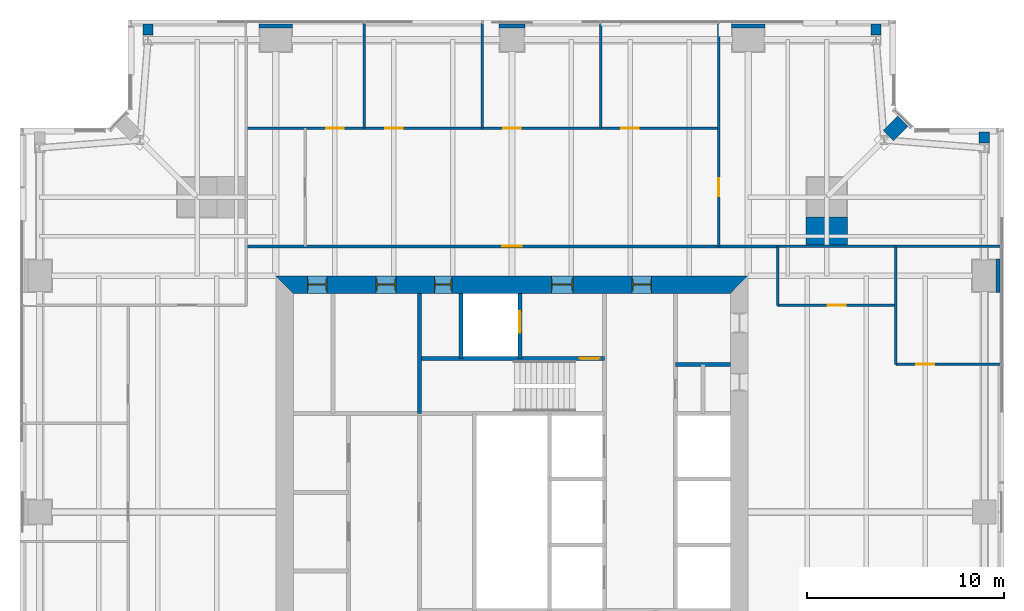
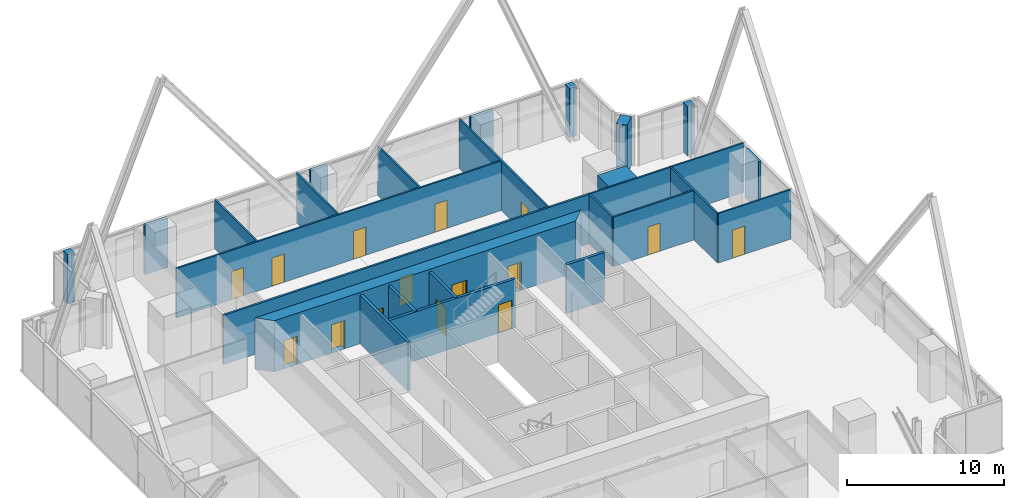
# One storey, part 11 of 14: 26 walls, 15 doors, 15 openings.
"""IFC4 building model written with IfcOpenShell, lengths in metres."""

from ifc_helpers import new_model, si_unit, direction, frame, frame_2d, origin, place, context, subcontext, project, spatial, polyline, rectangle, outline, extrude, material, layer, layer_set, type_object, element, fill, save


model = new_model("IFC4")

# Units and contexts
model_context = context("Model", 3, precision=1e-05, world=origin(), true_north=direction((0.0, 1.0)))
body_context = subcontext(model_context, "Body", "Model", "MODEL_VIEW")
ifc_project = project(units=[si_unit("LENGTHUNIT", "METRE"), si_unit("AREAUNIT", "SQUARE_METRE"), si_unit("VOLUMEUNIT", "CUBIC_METRE"), si_unit("PLANEANGLEUNIT", "RADIAN"), si_unit("MASSUNIT", "GRAM", prefix="KILO")], contexts=[model_context])

# Site, building, storey
site_placement = place(None, origin())
site = spatial("IfcSite", under=ifc_project, at=site_placement, CompositionType="ELEMENT")
building_placement = place(site_placement, origin())
building = spatial("IfcBuilding", under=site, at=building_placement, Name="Fenwick Lantern Interchange", CompositionType="ELEMENT")
storey_placement = place(building_placement, frame((0.0, 0.0, 185.800048828125)))
storey = spatial("IfcBuildingStorey", under=building, at=storey_placement, Name="L43", CompositionType="ELEMENT", Elevation=185.800048828125)

# Walls
ifc_material_1 = material(Name="Fire-rated gypsum board encasement on steel studs, 2 hour", Category="steel")
ifc_layer_1 = layer(ifc_material_1, 1.300048828125)
ifc_layer_set_1 = layer_set([ifc_layer_1], Name="COLUMN PIER 1300")
wall_type_1 = type_object("IfcWallType", Name="COLUMN PIER 1300", PredefinedType="PARTITIONING", material=ifc_layer_set_1)
wall_1_placement = place(storey_placement, frame((25.0, 49.800048828125, 0.0), z_axis=(0.0, 0.0, 1.0), x_axis=(0.0, -1.0, 0.0)))
element("IfcWall", 1, at=wall_1_placement, inside=storey, type_object=wall_type_1, Name="L43/W/PIER/CN3", PredefinedType="PARTITIONING", context=body_context, shape_type="SweptSolid", body=[
    extrude(rectangle(XDim=0.199951171875, YDim=1.300048828125, at=frame_2d((0.10009765625, 0.0))), origin(), (0.0, 0.0, 1.0), 3.849853515625),
])
ifc_layer_2 = layer(ifc_material_1, 1.699951171875)
ifc_layer_set_2 = layer_set([ifc_layer_2], Name="COLUMN PIER 1700")
wall_type_2 = type_object("IfcWallType", Name="COLUMN PIER 1700", PredefinedType="PARTITIONING", material=ifc_layer_set_2)
for number, where, z_axis, x_axis, name in (
    (2, (49.800048828125, 37.0, 0.0), (0.0, 0.0, 1.0), (-1.0, 0.0, 0.0), "L43/W/PIER/CE4"),
    (3, (37.0, 49.800048828125, 0.0), (0.0, 0.0, 1.0), (0.0, -1.0, 0.0), "L43/W/PIER/CN2"),
    (4, (13.0, 49.800048828125, 0.0), (0.0, 0.0, 1.0), (0.0, -1.0, 0.0), "L43/W/PIER/CN4"),
):
    element("IfcWall", number, at=place(storey_placement, frame(where, z_axis=z_axis, x_axis=x_axis)), inside=storey, type_object=wall_type_2, Name=name, PredefinedType="PARTITIONING", context=body_context, shape_type="SweptSolid", body=[
        extrude(rectangle(XDim=0.199951171875, YDim=1.699951171875, at=frame_2d((0.10009765625, 0.0))), origin(), (0.0, 0.0, 1.0), 3.849853515625),
    ])
ifc_layer_3 = layer(ifc_material_1, 2.10009765625)
ifc_layer_set_3 = layer_set([ifc_layer_3], Name="COLUMN PIER 2100")
wall_type_3 = type_object("IfcWallType", Name="COLUMN PIER 2100", PredefinedType="PARTITIONING", material=ifc_layer_set_3)
wall_2_placement = place(storey_placement, frame((41.0, 38.5625, 0.0), z_axis=(0.0, 0.0, 1.0), x_axis=(0.0, 1.0, 0.0)))
element("IfcWall", 5, at=wall_2_placement, inside=storey, type_object=wall_type_3, Name="L43/W/PIER/M3", PredefinedType="PARTITIONING", context=body_context, shape_type="SweptSolid", body=[
    extrude(rectangle(XDim=1.4375, YDim=2.10009765625, at=frame_2d((0.71875, 0.0))), origin(), (0.0, 0.0, 1.0), 3.849853515625),
])
ifc_layer_4 = layer(ifc_material_1, 0.52392578125)
ifc_layer_set_4 = layer_set([ifc_layer_4], Name="COLUMN PIER 524")
wall_type_4 = type_object("IfcWallType", Name="COLUMN PIER 524", PredefinedType="PARTITIONING", material=ifc_layer_set_4)
for number, where, z_axis, x_axis, name in (
    (6, (49.0, 44.300048828125, 0.0), (0.0, 0.0, 1.0), (0.0, -1.0, 0.0), "L43/W/PIER/CE5"),
    (7, (43.5, 49.800048828125, 0.0), (0.0, 0.0, 1.0), (0.0, -1.0, 0.0), "L43/W/PIER/CN1"),
    (8, (6.5, 49.800048828125, 0.0), (0.0, 0.0, 1.0), (0.0, -1.0, 0.0), "L43/W/PIER/CN5"),
):
    element("IfcWall", number, at=place(storey_placement, frame(where, z_axis=z_axis, x_axis=x_axis)), inside=storey, type_object=wall_type_4, Name=name, PredefinedType="PARTITIONING", context=body_context, shape_type="SweptSolid", body=[
        extrude(rectangle(XDim=0.5625, YDim=0.52392578125, at=frame_2d((0.28125, 0.0))), origin(), (0.0, 0.0, 1.0), 3.849853515625),
    ])
ifc_layer_5 = layer(ifc_material_1, 0.736083984375)
ifc_layer_set_5 = layer_set([ifc_layer_5], Name="COLUMN PIER 736")
wall_type_5 = type_object("IfcWallType", Name="COLUMN PIER 736", PredefinedType="PARTITIONING", material=ifc_layer_set_5)
wall_3_placement = place(storey_placement, frame((44.858642578125, 44.858642578125, 0.0), z_axis=(0.0, 0.0, 1.0), x_axis=(-0.707106781187, -0.707106781187, 0.0)))
element("IfcWall", 9, at=wall_3_placement, inside=storey, type_object=wall_type_5, Name="L43/W/PIER/CER", PredefinedType="PARTITIONING", context=body_context, shape_type="SweptSolid", body=[
    extrude(rectangle(XDim=1.037841796875, YDim=0.736083984375, at=frame_2d((0.51904296875, 0.0))), origin(), (0.0, 0.0, 1.0), 3.849853515625),
])

# Wall, opening, door
ifc_material_2 = material(Name="Concrete masonry ASTM C90 Grade N", Category="masonry")
ifc_layer_6 = layer(ifc_material_2, 0.199951171875)
ifc_layer_set_6 = layer_set([ifc_layer_6], Name="Concrete masonry ASTM C90 Grade N")
wall_type_6 = type_object("IfcWallType", Name="CORE PARTITION 200", PredefinedType="PARTITIONING", material=ifc_layer_set_6)
wall_4_placement = place(storey_placement, frame((25.39990234375, 36.10009765625, 0.0), z_axis=(0.0, 0.0, 1.0), x_axis=(0.0, -1.0, 0.0)))
wall_4 = element("IfcWall", 10, at=wall_4_placement, inside=storey, type_object=wall_type_6, Name="L43/W/COREN/h1", PredefinedType="PARTITIONING", context=body_context, shape_type="SweptSolid", body=[
    extrude(rectangle(XDim=3.300048828125, YDim=0.199951171875, at=frame_2d((1.64990234375, 0.0))), origin(), (0.0, 0.0, 1.0), 3.800048828125),
])
opening_1_placement = place(wall_4_placement, frame((0.89990234375, 0.0, 0.0)))
opening_1 = element("IfcOpeningElement", 11, at=opening_1_placement, cuts=wall_4, Name="Opening LD-FL2", PredefinedType="OPENING", context=body_context, shape_type="SweptSolid", body=[
    extrude(rectangle(XDim=1.10009765625, YDim=2.199951171875, at=frame_2d((0.550048828125, 1.10009765625))), frame((0.0, 0.10986328125, 0.0), z_axis=(0.0, -1.0, 0.0), x_axis=(1.0, 0.0, 0.0)), (0.0, 0.0, 1.0), 0.219970703125),
])
ifc_material_3 = material(Name="Steel door and frame", Category="steel")
door_type_1 = type_object("IfcDoorType", Name="LIFT LANDING DOOR 1100 X 2200", OperationType="DOUBLE_DOOR_SLIDING", PredefinedType="DOOR", material=ifc_material_3)
door_1_placement = place(opening_1_placement, origin())
door_1 = element("IfcDoor", 12, at=door_1_placement, inside=storey, type_object=door_type_1, Name="Lift landing door FL2", OperationType="DOUBLE_DOOR_SLIDING", OverallHeight=2.199951171875, OverallWidth=1.10009765625, PredefinedType="DOOR", context=body_context, shape_type="SweptSolid", body=[
    extrude(rectangle(XDim=1.10009765625, YDim=2.199951171875, at=frame_2d((0.550048828125, 1.10009765625))), frame((0.0, 0.02490234375, 0.0), z_axis=(0.0, -1.0, 0.0), x_axis=(1.0, 0.0, 0.0)), (0.0, 0.0, 1.0), 0.050048828125),
])
fill(opening_1, door_1)

# Walls
wall_5_placement = place(storey_placement, frame((22.39990234375, 36.10009765625, 0.0), z_axis=(0.0, 0.0, 1.0), x_axis=(0.0, -1.0, 0.0)))
element("IfcWall", 13, at=wall_5_placement, inside=storey, type_object=wall_type_6, Name="L43/W/COREN/h2", PredefinedType="PARTITIONING", context=body_context, shape_type="SweptSolid", body=[
    extrude(rectangle(XDim=3.300048828125, YDim=0.199951171875, at=frame_2d((1.64990234375, 0.0))), origin(), (0.0, 0.0, 1.0), 3.800048828125),
])
wall_6_placement = place(storey_placement, frame((36.10009765625, 32.5, 0.0), z_axis=(0.0, 0.0, 1.0), x_axis=(-1.0, 0.0, 0.0)))
element("IfcWall", 14, at=wall_6_placement, inside=storey, type_object=wall_type_6, Name="L43/W/COREN/p1", PredefinedType="PARTITIONING", context=body_context, shape_type="SweptSolid", body=[
    extrude(rectangle(XDim=2.800048828125, YDim=0.199951171875, at=frame_2d((1.39990234375, 0.0))), origin(), (0.0, 0.0, 1.0), 3.800048828125),
])

# Wall, openings, doors
ifc_material_4 = material(Name="Concrete f'c 70 MPa", Category="concrete")
ifc_layer_7 = layer(ifc_material_4, 0.89990234375)
ifc_layer_set_7 = layer_set([ifc_layer_7], Name="CORE WALL 900")
wall_type_7 = type_object("IfcWallType", Name="CORE WALL 900", PredefinedType="SHEAR", material=ifc_layer_set_7)
wall_7_placement = place(storey_placement, frame((37.0, 36.550048828125, 0.0), z_axis=(0.0, 0.0, 1.0), x_axis=(-1.0, 0.0, 0.0)))
wall_7 = element("IfcWall", 15, at=wall_7_placement, inside=storey, type_object=wall_type_7, Name="L43/CORE/N", PredefinedType="SHEAR", context=body_context, shape_type="SweptSolid", body=[
    extrude(outline(polyline([(0.0, -0.449951171875), (24.0, -0.449951171875), (23.10009765625, 0.449951171875), (0.89990234375, 0.449951171875), (0.0, -0.449951171875)])), origin(), (0.0, 0.0, 1.0), 4.0),
])
opening_2_placement = place(wall_7_placement, frame((4.89990234375, 0.0, 0.0)))
opening_2 = element("IfcOpeningElement", 16, at=opening_2_placement, cuts=wall_7, Name="Opening L43-D012", PredefinedType="OPENING", context=body_context, shape_type="SweptSolid", body=[
    extrude(rectangle(XDim=1.0, YDim=2.199951171875, at=frame_2d((0.5, 1.10009765625))), frame((0.0, 0.4599609375, 0.0), z_axis=(0.0, -1.0, 0.0), x_axis=(1.0, 0.0, 0.0)), (0.0, 0.0, 1.0), 0.919921875),
])
opening_3_placement = place(wall_7_placement, frame((8.89990234375, 0.0, 0.0)))
opening_3 = element("IfcOpeningElement", 17, at=opening_3_placement, cuts=wall_7, Name="Opening L43-D013", PredefinedType="OPENING", context=body_context, shape_type="SweptSolid", body=[
    extrude(rectangle(XDim=1.10009765625, YDim=2.199951171875, at=frame_2d((0.550048828125, 1.10009765625))), frame((0.0, 0.4599609375, 0.0), z_axis=(0.0, -1.0, 0.0), x_axis=(1.0, 0.0, 0.0)), (0.0, 0.0, 1.0), 0.919921875),
])
opening_4_placement = place(wall_7_placement, frame((15.050048828125, 0.0, 0.0)))
opening_4 = element("IfcOpeningElement", 18, at=opening_4_placement, cuts=wall_7, Name="Opening L43-D015", PredefinedType="OPENING", context=body_context, shape_type="SweptSolid", body=[
    extrude(rectangle(XDim=0.89990234375, YDim=2.199951171875, at=frame_2d((0.449951171875, 1.10009765625))), frame((0.0, 0.4599609375, 0.0), z_axis=(0.0, -1.0, 0.0), x_axis=(1.0, 0.0, 0.0)), (0.0, 0.0, 1.0), 0.919921875),
])
opening_5_placement = place(wall_7_placement, frame((17.89990234375, 0.0, 0.0)))
opening_5 = element("IfcOpeningElement", 19, at=opening_5_placement, cuts=wall_7, Name="Opening L43-D016", PredefinedType="OPENING", context=body_context, shape_type="SweptSolid", body=[
    extrude(rectangle(XDim=1.0, YDim=2.199951171875, at=frame_2d((0.5, 1.10009765625))), frame((0.0, 0.4599609375, 0.0), z_axis=(0.0, -1.0, 0.0), x_axis=(1.0, 0.0, 0.0)), (0.0, 0.0, 1.0), 0.919921875),
])
opening_6_placement = place(wall_7_placement, frame((21.39990234375, 0.0, 0.0)))
opening_6 = element("IfcOpeningElement", 20, at=opening_6_placement, cuts=wall_7, Name="Opening L43-D017", PredefinedType="OPENING", context=body_context, shape_type="SweptSolid", body=[
    extrude(rectangle(XDim=1.0, YDim=2.199951171875, at=frame_2d((0.5, 1.10009765625))), frame((0.0, 0.4599609375, 0.0), z_axis=(0.0, -1.0, 0.0), x_axis=(1.0, 0.0, 0.0)), (0.0, 0.0, 1.0), 0.919921875),
])
door_type_2 = type_object("IfcDoorType", Name="CORE LOBBY DOOR 1000 X 2200", OperationType="SINGLE_SWING_LEFT", PredefinedType="DOOR", material=ifc_material_3)
door_2_placement = place(opening_2_placement, origin())
door_2 = element("IfcDoor", 21, at=door_2_placement, inside=storey, type_object=door_type_2, Name="Core lobby door", OperationType="SINGLE_SWING_LEFT", OverallHeight=2.199951171875, OverallWidth=1.0, PredefinedType="DOOR", context=body_context, shape_type="SweptSolid", body=[
    extrude(rectangle(XDim=1.0, YDim=2.199951171875, at=frame_2d((0.5, 1.10009765625))), frame((0.0, 0.02490234375, 0.0), z_axis=(0.0, -1.0, 0.0), x_axis=(1.0, 0.0, 0.0)), (0.0, 0.0, 1.0), 0.050048828125),
    extrude(outline(polyline([(0.0, 0.0), (0.0400390625, 0.0), (0.0400390625, 2.159912109375), (0.9599609375, 2.159912109375), (0.9599609375, 0.0), (1.0, 0.0), (1.0, 2.199951171875), (0.0, 2.199951171875), (0.0, 0.0)])), frame((0.0, 0.300048828125, 0.0), z_axis=(0.0, -1.0, 0.0), x_axis=(1.0, 0.0, 0.0)), (0.0, 0.0, 1.0), 0.60009765625),
])
fill(opening_2, door_2)
door_type_3 = type_object("IfcDoorType", Name="FIRE LOBBY DOOR 1100 X 2200", OperationType="SINGLE_SWING_LEFT", PredefinedType="DOOR", material=ifc_material_3)
door_3_placement = place(opening_3_placement, origin())
door_3 = element("IfcDoor", 22, at=door_3_placement, inside=storey, type_object=door_type_3, Name="Fire lobby door", OperationType="SINGLE_SWING_LEFT", OverallHeight=2.199951171875, OverallWidth=1.10009765625, PredefinedType="DOOR", context=body_context, shape_type="SweptSolid", body=[
    extrude(rectangle(XDim=1.10009765625, YDim=2.199951171875, at=frame_2d((0.550048828125, 1.10009765625))), frame((0.0, 0.02490234375, 0.0), z_axis=(0.0, -1.0, 0.0), x_axis=(1.0, 0.0, 0.0)), (0.0, 0.0, 1.0), 0.050048828125),
    extrude(outline(polyline([(0.0, 0.0), (0.0400390625, 0.0), (0.0400390625, 2.159912109375), (1.06005859375, 2.159912109375), (1.06005859375, 0.0), (1.10009765625, 0.0), (1.10009765625, 2.199951171875), (0.0, 2.199951171875), (0.0, 0.0)])), frame((0.0, 0.300048828125, 0.0), z_axis=(0.0, -1.0, 0.0), x_axis=(1.0, 0.0, 0.0)), (0.0, 0.0, 1.0), 0.60009765625),
])
fill(opening_3, door_3)
door_type_4 = type_object("IfcDoorType", Name="SERVICE DOOR 900 X 2200", OperationType="SINGLE_SWING_LEFT", PredefinedType="DOOR", material=ifc_material_3)
door_4_placement = place(opening_4_placement, origin())
door_4 = element("IfcDoor", 23, at=door_4_placement, inside=storey, type_object=door_type_4, Name="Service door", OperationType="SINGLE_SWING_LEFT", OverallHeight=2.199951171875, OverallWidth=0.89990234375, PredefinedType="DOOR", context=body_context, shape_type="SweptSolid", body=[
    extrude(rectangle(XDim=0.89990234375, YDim=2.199951171875, at=frame_2d((0.449951171875, 1.10009765625))), frame((0.0, 0.02490234375, 0.0), z_axis=(0.0, -1.0, 0.0), x_axis=(1.0, 0.0, 0.0)), (0.0, 0.0, 1.0), 0.050048828125),
    extrude(outline(polyline([(0.0, 0.0), (0.0400390625, 0.0), (0.0400390625, 2.159912109375), (0.85986328125, 2.159912109375), (0.85986328125, 0.0), (0.89990234375, 0.0), (0.89990234375, 2.199951171875), (0.0, 2.199951171875), (0.0, 0.0)])), frame((0.0, 0.300048828125, 0.0), z_axis=(0.0, -1.0, 0.0), x_axis=(1.0, 0.0, 0.0)), (0.0, 0.0, 1.0), 0.60009765625),
])
fill(opening_4, door_4)
ifc_material_5 = material(Name="Hardwood door and steel frame", Category="steel")
door_type_5 = type_object("IfcDoorType", Name="WC DOOR 1000 X 2200", OperationType="SINGLE_SWING_LEFT", PredefinedType="DOOR", material=ifc_material_5)
door_5_placement = place(opening_5_placement, origin())
door_5 = element("IfcDoor", 24, at=door_5_placement, inside=storey, type_object=door_type_5, Name="Wc door", OperationType="SINGLE_SWING_LEFT", OverallHeight=2.199951171875, OverallWidth=1.0, PredefinedType="DOOR", context=body_context, shape_type="SweptSolid", body=[
    extrude(rectangle(XDim=1.0, YDim=2.199951171875, at=frame_2d((0.5, 1.10009765625))), frame((0.0, 0.02490234375, 0.0), z_axis=(0.0, -1.0, 0.0), x_axis=(1.0, 0.0, 0.0)), (0.0, 0.0, 1.0), 0.050048828125),
    extrude(outline(polyline([(0.0, 0.0), (0.0400390625, 0.0), (0.0400390625, 2.159912109375), (0.9599609375, 2.159912109375), (0.9599609375, 0.0), (1.0, 0.0), (1.0, 2.199951171875), (0.0, 2.199951171875), (0.0, 0.0)])), frame((0.0, 0.300048828125, 0.0), z_axis=(0.0, -1.0, 0.0), x_axis=(1.0, 0.0, 0.0)), (0.0, 0.0, 1.0), 0.60009765625),
])
fill(opening_5, door_5)
door_6_placement = place(opening_6_placement, origin())
door_6 = element("IfcDoor", 25, at=door_6_placement, inside=storey, type_object=door_type_5, Name="Wc door", OperationType="SINGLE_SWING_LEFT", OverallHeight=2.199951171875, OverallWidth=1.0, PredefinedType="DOOR", context=body_context, shape_type="SweptSolid", body=[
    extrude(rectangle(XDim=1.0, YDim=2.199951171875, at=frame_2d((0.5, 1.10009765625))), frame((0.0, 0.02490234375, 0.0), z_axis=(0.0, -1.0, 0.0), x_axis=(1.0, 0.0, 0.0)), (0.0, 0.0, 1.0), 0.050048828125),
    extrude(outline(polyline([(0.0, 0.0), (0.0400390625, 0.0), (0.0400390625, 2.159912109375), (0.9599609375, 2.159912109375), (0.9599609375, 0.0), (1.0, 0.0), (1.0, 2.199951171875), (0.0, 2.199951171875), (0.0, 0.0)])), frame((0.0, 0.300048828125, 0.0), z_axis=(0.0, -1.0, 0.0), x_axis=(1.0, 0.0, 0.0)), (0.0, 0.0, 1.0), 0.60009765625),
])
fill(opening_6, door_6)

# Wall, opening, door
ifc_material_6 = material(Name="Gypsum board on steel studs, 1 hour", Category="steel")
ifc_layer_8 = layer(ifc_material_6, 0.14990234375)
ifc_layer_set_8 = layer_set([ifc_layer_8], Name="CORRIDOR WALL 150")
wall_type_8 = type_object("IfcWallType", Name="CORRIDOR WALL 150", PredefinedType="PARTITIONING", material=ifc_layer_set_8)
wall_8_placement = place(storey_placement, frame((38.5, 38.5, 0.0), z_axis=(0.0, 0.0, 1.0), x_axis=(-1.0, 0.0, 0.0)))
wall_8 = element("IfcWall", 26, at=wall_8_placement, inside=storey, type_object=wall_type_8, Name="L43/W/OFF/N/CW", PredefinedType="PARTITIONING", context=body_context, shape_type="SweptSolid", body=[
    extrude(rectangle(XDim=27.0, YDim=0.14990234375, at=frame_2d((13.5, 0.0))), origin(), (0.0, 0.0, 1.0), 3.849853515625),
])
opening_7_placement = place(wall_8_placement, frame((13.0, 0.0, 0.0)))
opening_7 = element("IfcOpeningElement", 27, at=opening_7_placement, cuts=wall_8, Name="Opening L43-D031", PredefinedType="OPENING", context=body_context, shape_type="SweptSolid", body=[
    extrude(rectangle(XDim=1.0, YDim=2.199951171875, at=frame_2d((0.5, 1.10009765625))), frame((0.0, 0.0849609375, 0.0), z_axis=(0.0, -1.0, 0.0), x_axis=(1.0, 0.0, 0.0)), (0.0, 0.0, 1.0), 0.169921875),
])
door_type_6 = type_object("IfcDoorType", Name="SUITE ENTRANCE DOOR 1000 X 2200", OperationType="SINGLE_SWING_LEFT", PredefinedType="DOOR", material=ifc_material_3)
door_7_placement = place(opening_7_placement, frame((1.0, 0.0, 0.0), z_axis=(0.0, 0.0, 1.0), x_axis=(-1.0, 0.0, 0.0)))
door_7 = element("IfcDoor", 28, at=door_7_placement, inside=storey, type_object=door_type_6, Name="Suite entrance door", OperationType="SINGLE_SWING_RIGHT", OverallHeight=2.199951171875, OverallWidth=1.0, PredefinedType="DOOR", context=body_context, shape_type="SweptSolid", body=[
    extrude(rectangle(XDim=1.0, YDim=2.199951171875, at=frame_2d((0.5, 1.10009765625))), frame((0.0, 0.02490234375, 0.0), z_axis=(0.0, -1.0, 0.0), x_axis=(1.0, 0.0, 0.0)), (0.0, 0.0, 1.0), 0.050048828125),
])
fill(opening_7, door_7)

ifc_material_7 = material(Name="Gypsum board on steel studs, acoustic", Category="steel")
ifc_layer_9 = layer(ifc_material_7, 0.125)
ifc_layer_set_9 = layer_set([ifc_layer_9], Name="OFFICE PARTITION 125")
wall_type_9 = type_object("IfcWallType", Name="OFFICE PARTITION 125", PredefinedType="PARTITIONING", material=ifc_layer_set_9)
wall_9_placement = place(storey_placement, frame((49.85009765625, 32.5, 0.0), z_axis=(0.0, 0.0, 1.0), x_axis=(-1.0, 0.0, 0.0)))
wall_9 = element("IfcWall", 29, at=wall_9_placement, inside=storey, type_object=wall_type_9, Name="L43/W/OFF/E/X325-1", PredefinedType="PARTITIONING", context=body_context, shape_type="SweptSolid", body=[
    extrude(rectangle(XDim=5.35009765625, YDim=0.125, at=frame_2d((2.675048828125, 0.0))), origin(), (0.0, 0.0, 1.0), 3.849853515625),
])
opening_8_placement = place(wall_9_placement, frame((3.39990234375, 0.0, 0.0)))
opening_8 = element("IfcOpeningElement", 30, at=opening_8_placement, cuts=wall_9, Name="Opening L43-D029", PredefinedType="OPENING", context=body_context, shape_type="SweptSolid", body=[
    extrude(rectangle(XDim=0.89990234375, YDim=2.199951171875, at=frame_2d((0.449951171875, 1.10009765625))), frame((0.0, 0.072509765625, 0.0), z_axis=(0.0, -1.0, 0.0), x_axis=(1.0, 0.0, 0.0)), (0.0, 0.0, 1.0), 0.14501953125),
])
door_type_7 = type_object("IfcDoorType", Name="OFFICE DOOR 900 X 2200", OperationType="SINGLE_SWING_LEFT", PredefinedType="DOOR", material=ifc_material_5)
door_8_placement = place(opening_8_placement, frame((0.89990234375, 0.0, 0.0), z_axis=(0.0, 0.0, 1.0), x_axis=(-1.0, 0.0, 0.0)))
door_8 = element("IfcDoor", 31, at=door_8_placement, inside=storey, type_object=door_type_7, Name="Office door", OperationType="SINGLE_SWING_LEFT", OverallHeight=2.199951171875, OverallWidth=0.89990234375, PredefinedType="DOOR", context=body_context, shape_type="SweptSolid", body=[
    extrude(rectangle(XDim=0.89990234375, YDim=2.199951171875, at=frame_2d((0.449951171875, 1.10009765625))), frame((0.0, 0.02490234375, 0.0), z_axis=(0.0, -1.0, 0.0), x_axis=(1.0, 0.0, 0.0)), (0.0, 0.0, 1.0), 0.050048828125),
])
fill(opening_8, door_8)

wall_10_placement = place(storey_placement, frame((44.5, 35.5, 0.0), z_axis=(0.0, 0.0, 1.0), x_axis=(-1.0, 0.0, 0.0)))
wall_10 = element("IfcWall", 32, at=wall_10_placement, inside=storey, type_object=wall_type_9, Name="L43/W/OFF/E/X355-1", PredefinedType="PARTITIONING", context=body_context, shape_type="SweptSolid", body=[
    extrude(rectangle(XDim=6.0, YDim=0.125, at=frame_2d((3.0, 0.0))), origin(), (0.0, 0.0, 1.0), 3.849853515625),
])
opening_9_placement = place(wall_10_placement, frame((2.550048828125, 0.0, 0.0)))
opening_9 = element("IfcOpeningElement", 33, at=opening_9_placement, cuts=wall_10, Name="Opening L43-D030", PredefinedType="OPENING", context=body_context, shape_type="SweptSolid", body=[
    extrude(rectangle(XDim=0.89990234375, YDim=2.199951171875, at=frame_2d((0.449951171875, 1.10009765625))), frame((0.0, 0.072509765625, 0.0), z_axis=(0.0, -1.0, 0.0), x_axis=(1.0, 0.0, 0.0)), (0.0, 0.0, 1.0), 0.14501953125),
])
door_9_placement = place(opening_9_placement, frame((0.89990234375, 0.0, 0.0), z_axis=(0.0, 0.0, 1.0), x_axis=(-1.0, 0.0, 0.0)))
door_9 = element("IfcDoor", 34, at=door_9_placement, inside=storey, type_object=door_type_7, Name="Office door", OperationType="SINGLE_SWING_RIGHT", OverallHeight=2.199951171875, OverallWidth=0.89990234375, PredefinedType="DOOR", context=body_context, shape_type="SweptSolid", body=[
    extrude(rectangle(XDim=0.89990234375, YDim=2.199951171875, at=frame_2d((0.449951171875, 1.10009765625))), frame((0.0, 0.02490234375, 0.0), z_axis=(0.0, -1.0, 0.0), x_axis=(1.0, 0.0, 0.0)), (0.0, 0.0, 1.0), 0.050048828125),
])
fill(opening_9, door_9)

# Walls
wall_11_placement = place(storey_placement, frame((44.5, 32.5, 0.0), z_axis=(0.0, 0.0, 1.0), x_axis=(0.0, 1.0, 0.0)))
element("IfcWall", 35, at=wall_11_placement, inside=storey, type_object=wall_type_9, Name="L43/W/OFF/E/Y55-1", PredefinedType="PARTITIONING", context=body_context, shape_type="SweptSolid", body=[
    extrude(rectangle(XDim=6.0, YDim=0.125, at=frame_2d((3.0, 0.0))), origin(), (0.0, 0.0, 1.0), 3.849853515625),
])
wall_12_placement = place(storey_placement, frame((38.5, 35.5, 0.0), z_axis=(0.0, 0.0, 1.0), x_axis=(0.0, 1.0, 0.0)))
element("IfcWall", 36, at=wall_12_placement, inside=storey, type_object=wall_type_9, Name="L43/W/OFF/E/CWS1", PredefinedType="PARTITIONING", context=body_context, shape_type="SweptSolid", body=[
    extrude(rectangle(XDim=3.0, YDim=0.125, at=frame_2d((1.5, 0.0))), origin(), (0.0, 0.0, 1.0), 3.849853515625),
])
wall_13_placement = place(storey_placement, frame((49.85009765625, 38.5, 0.0), z_axis=(0.0, 0.0, 1.0), x_axis=(-1.0, 0.0, 0.0)))
element("IfcWall", 37, at=wall_13_placement, inside=storey, type_object=wall_type_9, Name="L43/W/OFF/N/BACK", PredefinedType="PARTITIONING", context=body_context, shape_type="SweptSolid", body=[
    extrude(rectangle(XDim=11.35009765625, YDim=0.125, at=frame_2d((5.675048828125, 0.0))), origin(), (0.0, 0.0, 1.0), 3.849853515625),
])

# Wall, opening, door
wall_14_placement = place(storey_placement, frame((35.5, 49.85009765625, 0.0), z_axis=(0.0, 0.0, 1.0), x_axis=(0.0, -1.0, 0.0)))
wall_14 = element("IfcWall", 38, at=wall_14_placement, inside=storey, type_object=wall_type_9, Name="L43/W/OFF/N/X145-1", PredefinedType="PARTITIONING", context=body_context, shape_type="SweptSolid", body=[
    extrude(rectangle(XDim=11.35009765625, YDim=0.125, at=frame_2d((5.675048828125, 0.0))), origin(), (0.0, 0.0, 1.0), 3.849853515625),
])
opening_10_placement = place(wall_14_placement, frame((7.89990234375, 0.0, 0.0)))
opening_10 = element("IfcOpeningElement", 39, at=opening_10_placement, cuts=wall_14, Name="Opening L43-D032", PredefinedType="OPENING", context=body_context, shape_type="SweptSolid", body=[
    extrude(rectangle(XDim=0.89990234375, YDim=2.199951171875, at=frame_2d((0.449951171875, 1.10009765625))), frame((0.0, 0.072509765625, 0.0), z_axis=(0.0, -1.0, 0.0), x_axis=(1.0, 0.0, 0.0)), (0.0, 0.0, 1.0), 0.14501953125),
])
door_10_placement = place(opening_10_placement, origin())
door_10 = element("IfcDoor", 40, at=door_10_placement, inside=storey, type_object=door_type_7, Name="Office door", OperationType="SINGLE_SWING_RIGHT", OverallHeight=2.199951171875, OverallWidth=0.89990234375, PredefinedType="DOOR", context=body_context, shape_type="SweptSolid", body=[
    extrude(rectangle(XDim=0.89990234375, YDim=2.199951171875, at=frame_2d((0.449951171875, 1.10009765625))), frame((0.0, 0.02490234375, 0.0), z_axis=(0.0, -1.0, 0.0), x_axis=(1.0, 0.0, 0.0)), (0.0, 0.0, 1.0), 0.050048828125),
])
fill(opening_10, door_10)

# Walls
for number, where, z_axis, x_axis, name in (
    (41, (29.5, 49.85009765625, 0.0), (0.0, 0.0, 1.0), (0.0, -1.0, 0.0), "L43/W/OFF/N/X205-1"),
    (42, (23.5, 49.85009765625, 0.0), (0.0, 0.0, 1.0), (0.0, -1.0, 0.0), "L43/W/OFF/N/X265-1"),
    (43, (17.5, 49.85009765625, 0.0), (0.0, 0.0, 1.0), (0.0, -1.0, 0.0), "L43/W/OFF/N/X325-1"),
):
    element("IfcWall", number, at=place(storey_placement, frame(where, z_axis=z_axis, x_axis=x_axis)), inside=storey, type_object=wall_type_9, Name=name, PredefinedType="PARTITIONING", context=body_context, shape_type="SweptSolid", body=[
        extrude(rectangle(XDim=5.35009765625, YDim=0.125, at=frame_2d((2.675048828125, 0.0))), origin(), (0.0, 0.0, 1.0), 3.849853515625),
    ])

# Wall, openings, doors
wall_15_placement = place(storey_placement, frame((35.5, 44.5, 0.0), z_axis=(0.0, 0.0, 1.0), x_axis=(-1.0, 0.0, 0.0)))
wall_15 = element("IfcWall", 44, at=wall_15_placement, inside=storey, type_object=wall_type_9, Name="L43/W/OFF/N/Y55-1", PredefinedType="PARTITIONING", context=body_context, shape_type="SweptSolid", body=[
    extrude(rectangle(XDim=24.0, YDim=0.125, at=frame_2d((12.0, 0.0))), origin(), (0.0, 0.0, 1.0), 3.849853515625),
])
opening_11_placement = place(wall_15_placement, frame((4.050048828125, 0.0, 0.0)))
opening_11 = element("IfcOpeningElement", 45, at=opening_11_placement, cuts=wall_15, Name="Opening L43-D033", PredefinedType="OPENING", context=body_context, shape_type="SweptSolid", body=[
    extrude(rectangle(XDim=0.89990234375, YDim=2.199951171875, at=frame_2d((0.449951171875, 1.10009765625))), frame((0.0, 0.072509765625, 0.0), z_axis=(0.0, -1.0, 0.0), x_axis=(1.0, 0.0, 0.0)), (0.0, 0.0, 1.0), 0.14501953125),
])
opening_12_placement = place(wall_15_placement, frame((10.050048828125, 0.0, 0.0)))
opening_12 = element("IfcOpeningElement", 46, at=opening_12_placement, cuts=wall_15, Name="Opening L43-D034", PredefinedType="OPENING", context=body_context, shape_type="SweptSolid", body=[
    extrude(rectangle(XDim=0.89990234375, YDim=2.199951171875, at=frame_2d((0.449951171875, 1.10009765625))), frame((0.0, 0.072509765625, 0.0), z_axis=(0.0, -1.0, 0.0), x_axis=(1.0, 0.0, 0.0)), (0.0, 0.0, 1.0), 0.14501953125),
])
opening_13_placement = place(wall_15_placement, frame((16.050048828125, 0.0, 0.0)))
opening_13 = element("IfcOpeningElement", 47, at=opening_13_placement, cuts=wall_15, Name="Opening L43-D035", PredefinedType="OPENING", context=body_context, shape_type="SweptSolid", body=[
    extrude(rectangle(XDim=0.89990234375, YDim=2.199951171875, at=frame_2d((0.449951171875, 1.10009765625))), frame((0.0, 0.072509765625, 0.0), z_axis=(0.0, -1.0, 0.0), x_axis=(1.0, 0.0, 0.0)), (0.0, 0.0, 1.0), 0.14501953125),
])
opening_14_placement = place(wall_15_placement, frame((19.050048828125, 0.0, 0.0)))
opening_14 = element("IfcOpeningElement", 48, at=opening_14_placement, cuts=wall_15, Name="Opening L43-D036", PredefinedType="OPENING", context=body_context, shape_type="SweptSolid", body=[
    extrude(rectangle(XDim=0.89990234375, YDim=2.199951171875, at=frame_2d((0.449951171875, 1.10009765625))), frame((0.0, 0.072509765625, 0.0), z_axis=(0.0, -1.0, 0.0), x_axis=(1.0, 0.0, 0.0)), (0.0, 0.0, 1.0), 0.14501953125),
])
door_11_placement = place(opening_11_placement, frame((0.89990234375, 0.0, 0.0), z_axis=(0.0, 0.0, 1.0), x_axis=(-1.0, 0.0, 0.0)))
door_11 = element("IfcDoor", 49, at=door_11_placement, inside=storey, type_object=door_type_7, Name="Office door", OperationType="SINGLE_SWING_LEFT", OverallHeight=2.199951171875, OverallWidth=0.89990234375, PredefinedType="DOOR", context=body_context, shape_type="SweptSolid", body=[
    extrude(rectangle(XDim=0.89990234375, YDim=2.199951171875, at=frame_2d((0.449951171875, 1.10009765625))), frame((0.0, 0.02490234375, 0.0), z_axis=(0.0, -1.0, 0.0), x_axis=(1.0, 0.0, 0.0)), (0.0, 0.0, 1.0), 0.050048828125),
])
fill(opening_11, door_11)
door_12_placement = place(opening_12_placement, frame((0.89990234375, 0.0, 0.0), z_axis=(0.0, 0.0, 1.0), x_axis=(-1.0, 0.0, 0.0)))
door_12 = element("IfcDoor", 50, at=door_12_placement, inside=storey, type_object=door_type_7, Name="Office door", OperationType="SINGLE_SWING_LEFT", OverallHeight=2.199951171875, OverallWidth=0.89990234375, PredefinedType="DOOR", context=body_context, shape_type="SweptSolid", body=[
    extrude(rectangle(XDim=0.89990234375, YDim=2.199951171875, at=frame_2d((0.449951171875, 1.10009765625))), frame((0.0, 0.02490234375, 0.0), z_axis=(0.0, -1.0, 0.0), x_axis=(1.0, 0.0, 0.0)), (0.0, 0.0, 1.0), 0.050048828125),
])
fill(opening_12, door_12)
door_13_placement = place(opening_13_placement, frame((0.89990234375, 0.0, 0.0), z_axis=(0.0, 0.0, 1.0), x_axis=(-1.0, 0.0, 0.0)))
door_13 = element("IfcDoor", 51, at=door_13_placement, inside=storey, type_object=door_type_7, Name="Office door", OperationType="SINGLE_SWING_LEFT", OverallHeight=2.199951171875, OverallWidth=0.89990234375, PredefinedType="DOOR", context=body_context, shape_type="SweptSolid", body=[
    extrude(rectangle(XDim=0.89990234375, YDim=2.199951171875, at=frame_2d((0.449951171875, 1.10009765625))), frame((0.0, 0.02490234375, 0.0), z_axis=(0.0, -1.0, 0.0), x_axis=(1.0, 0.0, 0.0)), (0.0, 0.0, 1.0), 0.050048828125),
])
fill(opening_13, door_13)
door_14_placement = place(opening_14_placement, frame((0.89990234375, 0.0, 0.0), z_axis=(0.0, 0.0, 1.0), x_axis=(-1.0, 0.0, 0.0)))
door_14 = element("IfcDoor", 52, at=door_14_placement, inside=storey, type_object=door_type_7, Name="Office door", OperationType="SINGLE_SWING_RIGHT", OverallHeight=2.199951171875, OverallWidth=0.89990234375, PredefinedType="DOOR", context=body_context, shape_type="SweptSolid", body=[
    extrude(rectangle(XDim=0.89990234375, YDim=2.199951171875, at=frame_2d((0.449951171875, 1.10009765625))), frame((0.0, 0.02490234375, 0.0), z_axis=(0.0, -1.0, 0.0), x_axis=(1.0, 0.0, 0.0)), (0.0, 0.0, 1.0), 0.050048828125),
])
fill(opening_14, door_14)

# Wall, opening, door
ifc_material_8 = material(Name="Concrete f'c 45 MPa", Category="concrete")
ifc_layer_10 = layer(ifc_material_8, 0.199951171875)
ifc_layer_set_10 = layer_set([ifc_layer_10], Name="STAIR CORE WALL 200")
wall_type_10 = type_object("IfcWallType", Name="STAIR CORE WALL 200", PredefinedType="SOLIDWALL", material=ifc_layer_set_10)
wall_16_placement = place(storey_placement, frame((29.699951171875, 32.800048828125, 0.0), z_axis=(0.0, 0.0, 1.0), x_axis=(-1.0, 0.0, 0.0)))
wall_16 = element("IfcWall", 53, at=wall_16_placement, inside=storey, type_object=wall_type_10, Name="L43/W/COREN/g1", PredefinedType="SOLIDWALL", context=body_context, shape_type="SweptSolid", body=[
    extrude(rectangle(XDim=9.39990234375, YDim=0.199951171875, at=frame_2d((4.699951171875, 0.0))), origin(), (0.0, 0.0, 1.0), 3.800048828125),
])
opening_15_placement = place(wall_16_placement, frame((0.25, 0.0, 0.0)))
opening_15 = element("IfcOpeningElement", 54, at=opening_15_placement, cuts=wall_16, Name="Opening L43-D014", PredefinedType="OPENING", context=body_context, shape_type="SweptSolid", body=[
    extrude(rectangle(XDim=1.0, YDim=2.199951171875, at=frame_2d((0.5, 1.10009765625))), frame((0.0, 0.10986328125, 0.0), z_axis=(0.0, -1.0, 0.0), x_axis=(1.0, 0.0, 0.0)), (0.0, 0.0, 1.0), 0.219970703125),
])
door_type_8 = type_object("IfcDoorType", Name="STAIR DOOR 1000 X 2200", OperationType="SINGLE_SWING_LEFT", PredefinedType="DOOR", material=ifc_material_3)
door_15_placement = place(opening_15_placement, origin())
door_15 = element("IfcDoor", 55, at=door_15_placement, inside=storey, type_object=door_type_8, Name="Stair door", OperationType="SINGLE_SWING_LEFT", OverallHeight=2.199951171875, OverallWidth=1.0, PredefinedType="DOOR", context=body_context, shape_type="SweptSolid", body=[
    extrude(rectangle(XDim=1.0, YDim=2.199951171875, at=frame_2d((0.5, 1.10009765625))), frame((0.0, 0.02490234375, 0.0), z_axis=(0.0, -1.0, 0.0), x_axis=(1.0, 0.0, 0.0)), (0.0, 0.0, 1.0), 0.050048828125),
])
fill(opening_15, door_15)

# Wall
wall_17_placement = place(storey_placement, frame((20.300048828125, 36.10009765625, 0.0), z_axis=(0.0, 0.0, 1.0), x_axis=(0.0, -1.0, 0.0)))
element("IfcWall", 56, at=wall_17_placement, inside=storey, type_object=wall_type_10, Name="L43/W/COREN/i1", PredefinedType="SOLIDWALL", context=body_context, shape_type="SweptSolid", body=[
    extrude(rectangle(XDim=6.10009765625, YDim=0.199951171875, at=frame_2d((3.050048828125, 0.0))), origin(), (0.0, 0.0, 1.0), 3.800048828125),
])

save(model, "model.ifc")
